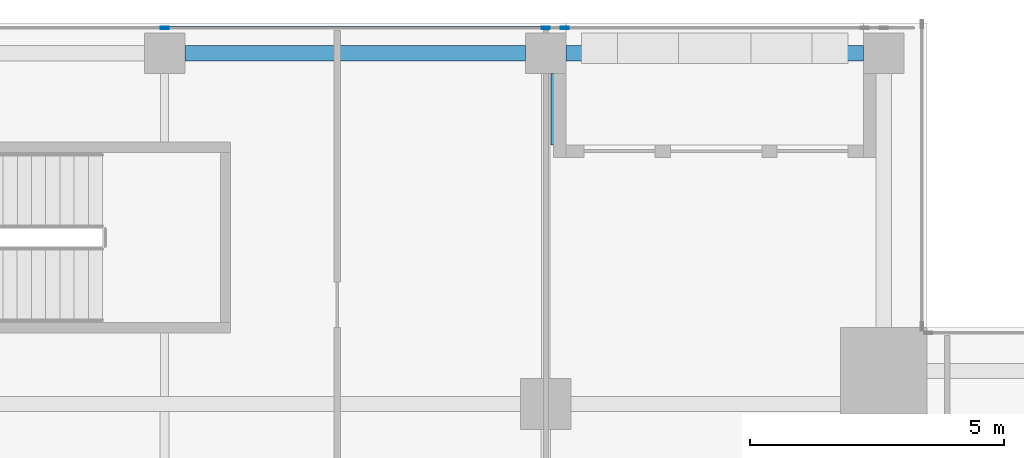
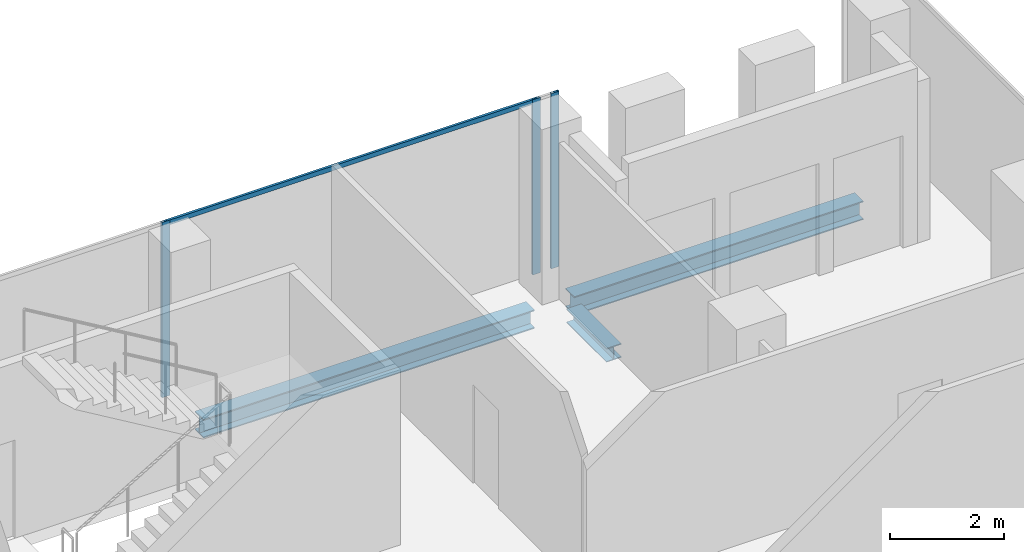
# One storey, part 16 of 29: 4 members, 3 beams, 1 element without a shape of its own.
"""IFC4 building model written with IfcOpenShell, lengths in metres."""

from ifc_helpers import new_model, si_unit, direction, frame, origin, origin_2d, place, context, subcontext, project, spatial, hollow_rectangle, i_section, extrude, source, transform, mapped, material, material_profile, profile_set, type_object, element, aggregate, save


model = new_model("IFC4")

# Units and contexts
model_context = context("Model", 3, precision=1e-05, world=origin(), true_north=direction((0.0, 1.0)))
body_context = subcontext(model_context, "Body", "Model", "MODEL_VIEW")
ifc_project = project(units=[si_unit("LENGTHUNIT", "METRE"), si_unit("AREAUNIT", "SQUARE_METRE"), si_unit("VOLUMEUNIT", "CUBIC_METRE"), si_unit("PLANEANGLEUNIT", "RADIAN"), si_unit("MASSUNIT", "GRAM", prefix="KILO")], contexts=[model_context])

# Site, building, storey
site_placement = place(None, origin())
site = spatial("IfcSite", under=ifc_project, at=site_placement, CompositionType="ELEMENT")
building_placement = place(site_placement, origin())
building = spatial("IfcBuilding", under=site, at=building_placement, Name="Khomas Fold Tower", CompositionType="ELEMENT")
storey_placement = place(building_placement, frame((0.0, 0.0, 286.199951171875)))
storey = spatial("IfcBuildingStorey", under=building, at=storey_placement, Name="L64", CompositionType="ELEMENT", Elevation=286.199951171875)

# Beams
ifc_material_1 = material(Name="Steel S355", Category="steel")
ifc_material_profile_1 = material_profile(ifc_material_1, i_section(OverallWidth=0.300048828125, OverallDepth=0.39990234375, WebThickness=0.013427734375, FlangeThickness=0.02392578125, at=origin_2d()), Name="HE 400 B")
ifc_profile_set_1 = profile_set([ifc_material_profile_1], Name="Steel S355")
beam_type_1 = type_object("IfcBeamType", Name="HE 400 B spandrel SB5", PredefinedType="SPANDREL", material=ifc_profile_set_1)
shared_shape_1 = source(origin(), body_context, "Body", "SweptSolid", [
    extrude(i_section(OverallWidth=0.300048828125, OverallDepth=0.39990234375, WebThickness=0.013427734375, FlangeThickness=0.02392578125, at=origin_2d()), origin(), (0.0, 0.0, 1.0), 5.85009765625),
])
beam_1_placement = place(storey_placement, frame((34.89990234375, 47.39990234375, -0.449951171875), z_axis=(1.0, 0.0, 0.0), x_axis=(0.0, 1.0, 0.0)))
element("IfcBeam", 1, at=beam_1_placement, inside=storey, type_object=beam_type_1, Name="SB5", PredefinedType="SPANDREL", context=body_context, shape_type="MappedRepresentation", body=[
    mapped(shared_shape_1, transform((0.0, 0.0, 0.0))),
])
shared_shape_2 = source(origin(), body_context, "Body", "SweptSolid", [
    extrude(i_section(OverallWidth=0.300048828125, OverallDepth=0.39990234375, WebThickness=0.013427734375, FlangeThickness=0.02392578125, at=origin_2d()), origin(), (0.0, 0.0, 1.0), 6.7001953125),
])
beam_2_placement = place(storey_placement, frame((27.39990234375, 47.39990234375, -0.449951171875), z_axis=(1.0, 0.0, 0.0), x_axis=(0.0, 1.0, 0.0)))
element("IfcBeam", 2, at=beam_2_placement, inside=storey, type_object=beam_type_1, Name="SB5", PredefinedType="SPANDREL", context=body_context, shape_type="MappedRepresentation", body=[
    mapped(shared_shape_2, transform((0.0, 0.0, 0.0))),
])
ifc_material_2 = material(Name="Steel S355", Category="steel")
ifc_material_profile_2 = material_profile(ifc_material_2, i_section(OverallWidth=0.300048828125, OverallDepth=0.300048828125, WebThickness=0.010986328125, FlangeThickness=0.01904296875, at=origin_2d()), Name="HE 300 B")
ifc_profile_set_2 = profile_set([ifc_material_profile_2], Name="Steel S355")
beam_type_2 = type_object("IfcBeamType", Name="HE 300 B beam BB1", PredefinedType="BEAM", material=ifc_profile_set_2)
shared_shape_3 = source(origin(), body_context, "Body", "SweptSolid", [
    extrude(i_section(OverallWidth=0.300048828125, OverallDepth=0.300048828125, WebThickness=0.010986328125, FlangeThickness=0.01904296875, at=origin_2d()), origin(), (0.0, 0.0, 1.0), 1.39990234375),
])
beam_3_placement = place(storey_placement, frame((34.75, 45.60009765625, -0.39990234375), z_axis=(0.0, 1.0, 0.0), x_axis=(-1.0, 0.0, 0.0)))
element("IfcBeam", 3, at=beam_3_placement, inside=storey, type_object=beam_type_2, Name="BB1", PredefinedType="BEAM", context=body_context, shape_type="MappedRepresentation", body=[
    mapped(shared_shape_3, transform((0.0, 0.0, 0.0))),
])

# Curtain wall, members
ifc_material_3 = material(Name="Aluminium framed double glazing", Category="aluminium")
curtain_wall_type = type_object("IfcCurtainWallType", Name="SK-Unitised clear-glass wall, upper floors CW3", PredefinedType="NOTDEFINED", material=ifc_material_3)
curtain_wall_placement = place(storey_placement, origin())
curtain_wall = element("IfcCurtainWall", 4, at=curtain_wall_placement, inside=storey, type_object=curtain_wall_type, Name="CW3 run L64 06-1", PredefinedType="NOTDEFINED")
ifc_material_4 = material(Name="Aluminium", Category="aluminium")
ifc_material_profile_3 = material_profile(ifc_material_4, hollow_rectangle(XDim=0.050048828125, YDim=0.159912109375, WallThickness=0.00390625, at=origin_2d()), Name="SK-Unitised clear-glass wall, upper floors mullion CW3-M")
ifc_profile_set_3 = profile_set([ifc_material_profile_3], Name="Aluminium")
member_type_1 = type_object("IfcMemberType", Name="SK-Unitised clear-glass wall, upper floors mullion CW3-M", PredefinedType="MULLION", material=ifc_profile_set_3)
shared_shape_4 = source(origin(), body_context, "Body", "SweptSolid", [
    extrude(hollow_rectangle(XDim=0.050048828125, YDim=0.159912109375, WallThickness=0.00390625, at=origin_2d()), origin(), (0.0, 0.0, 1.0), 3.75),
])
member_1_placement = place(storey_placement, frame((34.875, 47.89990234375, 0.0), z_axis=(0.0, 0.0, 1.0), x_axis=(0.0, -1.0, 0.0)))
member_1 = element("IfcMember", 5, at=member_1_placement, type_object=member_type_1, Name="CW3 mullion 1", PredefinedType="MULLION", context=body_context, shape_type="MappedRepresentation", body=[
    mapped(shared_shape_4, transform((0.0, 0.0, 0.0))),
])
member_2_placement = place(storey_placement, frame((34.5, 47.89990234375, 0.0), z_axis=(0.0, 0.0, 1.0), x_axis=(0.0, -1.0, 0.0)))
member_2 = element("IfcMember", 6, at=member_2_placement, type_object=member_type_1, Name="CW3 mullion 2", PredefinedType="MULLION", context=body_context, shape_type="MappedRepresentation", body=[
    mapped(shared_shape_4, transform((0.0, 0.0, 0.0))),
])
member_3_placement = place(storey_placement, frame((27.0, 47.89990234375, 0.0), z_axis=(0.0, 0.0, 1.0), x_axis=(0.0, -1.0, 0.0)))
member_3 = element("IfcMember", 7, at=member_3_placement, type_object=member_type_1, Name="CW3 mullion 3", PredefinedType="MULLION", context=body_context, shape_type="MappedRepresentation", body=[
    mapped(shared_shape_4, transform((0.0, 0.0, 0.0))),
])
ifc_material_5 = material(Name="Aluminium", Category="aluminium")
ifc_material_profile_4 = material_profile(ifc_material_5, hollow_rectangle(XDim=0.050048828125, YDim=0.10009765625, WallThickness=0.00390625, at=origin_2d()), Name="SK-Unitised clear-glass wall, upper floors transom CW3-T")
ifc_profile_set_4 = profile_set([ifc_material_profile_4], Name="Aluminium")
member_type_2 = type_object("IfcMemberType", Name="SK-Unitised clear-glass wall, upper floors transom CW3-T", PredefinedType="USERDEFINED", material=ifc_profile_set_4)
shared_shape_5 = source(origin(), body_context, "Body", "SweptSolid", [
    extrude(hollow_rectangle(XDim=0.050048828125, YDim=0.10009765625, WallThickness=0.00390625, at=origin_2d()), origin(), (0.0, 0.0, 1.0), 7.4501953125),
])
member_4_placement = place(storey_placement, frame((34.47509765625, 47.89990234375, 3.699951171875), z_axis=(-1.0, 0.0, 0.0), x_axis=(0.0, -1.0, 0.0)))
member_4 = element("IfcMember", 8, at=member_4_placement, type_object=member_type_2, Name="CW3 transom 2", ObjectType="TRANSOM", PredefinedType="USERDEFINED", context=body_context, shape_type="MappedRepresentation", body=[
    mapped(shared_shape_5, transform((0.0, 0.0, 0.0))),
])
aggregate(curtain_wall, [member_1, member_2, member_3, member_4])

save(model, "model.ifc")
